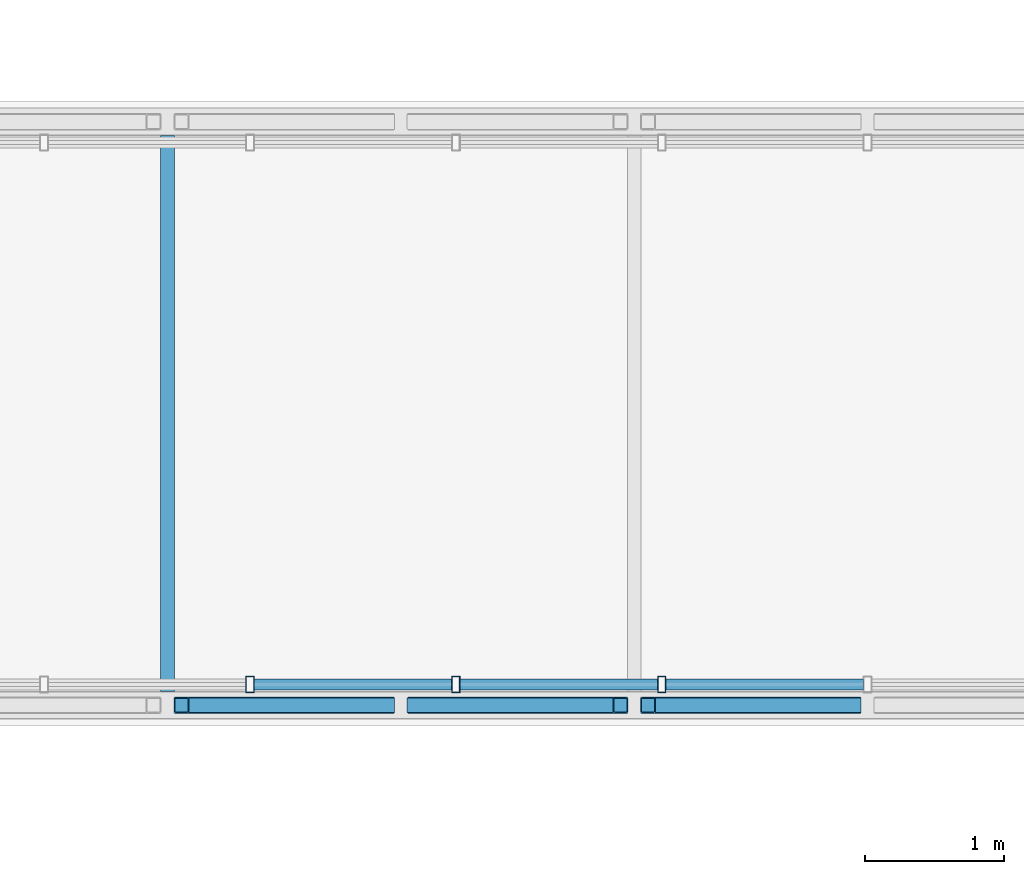
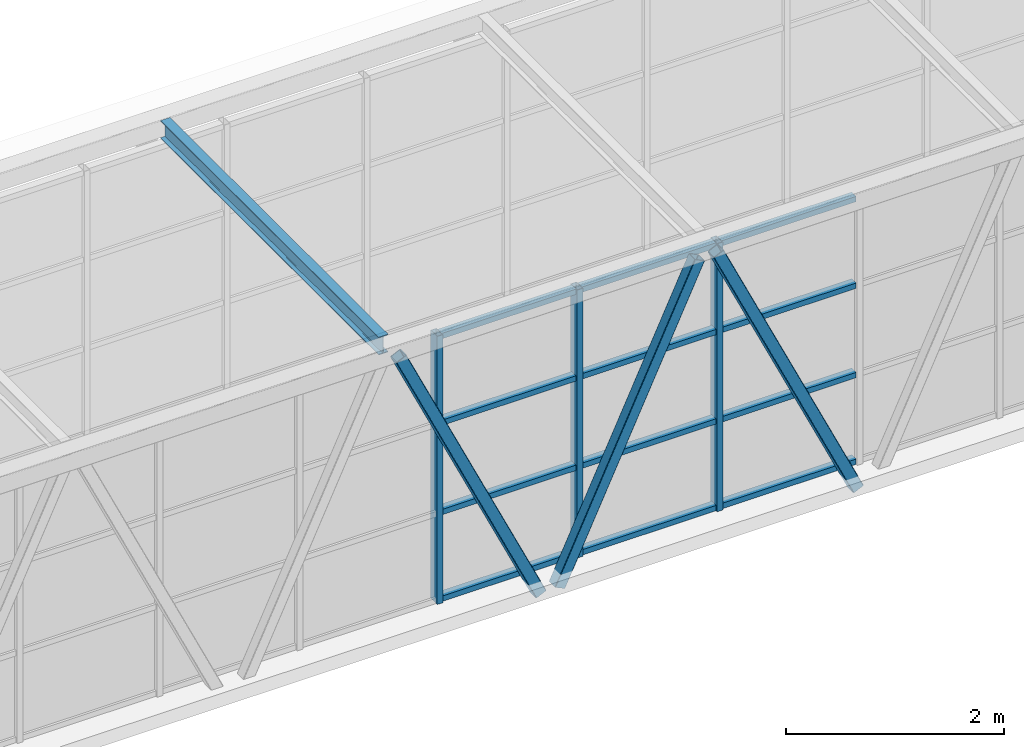
# One storey, part 32 of 149: 18 members, 1 beam, 1 element without a shape of its own.
"""IFC4 building model written with IfcOpenShell, lengths in metres."""

from ifc_helpers import new_model, si_unit, direction, frame, origin, origin_2d, place, context, subcontext, project, spatial, hollow_rectangle, i_section, extrude, material, material_profile, profile_set, type_object, element, aggregate, save


model = new_model("IFC4")

# Units and contexts
model_context = context("Model", 3, precision=1e-05, world=origin(), true_north=direction((0.0, 1.0)))
body_context = subcontext(model_context, "Body", "Model", "MODEL_VIEW")
ifc_project = project(units=[si_unit("LENGTHUNIT", "METRE"), si_unit("AREAUNIT", "SQUARE_METRE"), si_unit("VOLUMEUNIT", "CUBIC_METRE"), si_unit("PLANEANGLEUNIT", "RADIAN"), si_unit("MASSUNIT", "GRAM", prefix="KILO")], contexts=[model_context])

# Site, building, storey
site_placement = place(None, origin())
site = spatial("IfcSite", under=ifc_project, at=site_placement, CompositionType="ELEMENT")
building_placement = place(site_placement, origin())
building = spatial("IfcBuilding", under=site, at=building_placement, Name="Kallimachos Central Library", CompositionType="ELEMENT")
storey_placement = place(building_placement, frame((0.0, 0.0, 9.89990234375)))
storey = spatial("IfcBuildingStorey", under=building, at=storey_placement, Name="L02", CompositionType="ELEMENT", Elevation=9.89990234375)

# Curtain wall, members
ifc_material_1 = material(Name="Aluminium and laminated glass", Category="aluminium")
curtain_wall_type = type_object("IfcCurtainWallType", Name="Link glazed wall", PredefinedType="NOTDEFINED", material=ifc_material_1)
curtain_wall_placement = place(storey_placement, origin())
curtain_wall = element("IfcCurtainWall", 1, at=curtain_wall_placement, inside=storey, type_object=curtain_wall_type, Name="V2 to V1 bridge glazed side", PredefinedType="NOTDEFINED")
ifc_material_2 = material(Name="Anodised aluminium", Category="aluminium")
ifc_material_profile_1 = material_profile(ifc_material_2, hollow_rectangle(XDim=0.06005859375, YDim=0.1201171875, WallThickness=0.00390625, at=origin_2d()), Name="ALU MULLION 60x120")
ifc_profile_set_1 = profile_set([ifc_material_profile_1], Name="Anodised aluminium")
member_type_1 = type_object("IfcMemberType", Name="ALU MULLION 60x120 mullion", PredefinedType="MULLION", material=ifc_profile_set_1)
member_1_placement = place(storey_placement, frame((47.291748046875, 98.550048828125, 0.0), z_axis=(0.0, 0.0, 1.0), x_axis=(1.0, 0.0, 0.0)))
member_1 = element("IfcMember", 2, at=member_1_placement, type_object=member_type_1, Name="CW72 mullion 7", PredefinedType="MULLION", context=body_context, shape_type="SweptSolid", body=[
    extrude(hollow_rectangle(XDim=0.06005859375, YDim=0.1201171875, WallThickness=0.00390625, at=origin_2d()), origin(), (0.0, 0.0, 1.0), 3.0),
])
member_2_placement = place(storey_placement, frame((48.773681640625, 98.550048828125, 0.0), z_axis=(0.0, 0.0, 1.0), x_axis=(1.0, 0.0, 0.0)))
member_2 = element("IfcMember", 3, at=member_2_placement, type_object=member_type_1, Name="CW72 mullion 8", PredefinedType="MULLION", context=body_context, shape_type="SweptSolid", body=[
    extrude(hollow_rectangle(XDim=0.06005859375, YDim=0.1201171875, WallThickness=0.00390625, at=origin_2d()), origin(), (0.0, 0.0, 1.0), 3.0),
])
member_3_placement = place(storey_placement, frame((50.255615234375, 98.550048828125, 0.0), z_axis=(0.0, 0.0, 1.0), x_axis=(1.0, 0.0, 0.0)))
member_3 = element("IfcMember", 4, at=member_3_placement, type_object=member_type_1, Name="CW72 mullion 9", PredefinedType="MULLION", context=body_context, shape_type="SweptSolid", body=[
    extrude(hollow_rectangle(XDim=0.06005859375, YDim=0.1201171875, WallThickness=0.00390625, at=origin_2d()), origin(), (0.0, 0.0, 1.0), 3.0),
])
ifc_material_3 = material(Name="Anodised aluminium", Category="aluminium")
ifc_material_profile_2 = material_profile(ifc_material_3, hollow_rectangle(XDim=0.06005859375, YDim=0.080078125, WallThickness=0.00390625, at=origin_2d()), Name="ALU TRANSOM 60x80")
ifc_profile_set_2 = profile_set([ifc_material_profile_2], Name="Anodised aluminium")
member_type_2 = type_object("IfcMemberType", Name="ALU TRANSOM 60x80 transom", PredefinedType="USERDEFINED", material=ifc_profile_set_2)
member_4_placement = place(storey_placement, frame((47.32177734375, 98.550048828125, 0.030029296875), z_axis=(1.0, 0.0, 0.0), x_axis=(0.0, 0.0, 1.0)))
member_4 = element("IfcMember", 5, at=member_4_placement, type_object=member_type_2, Name="CW72 transom 7.1", ObjectType="TRANSOM", PredefinedType="USERDEFINED", context=body_context, shape_type="SweptSolid", body=[
    extrude(hollow_rectangle(XDim=0.06005859375, YDim=0.080078125, WallThickness=0.00390625, at=origin_2d()), origin(), (0.0, 0.0, 1.0), 1.421875),
])
member_5_placement = place(storey_placement, frame((47.32177734375, 98.550048828125, 1.0), z_axis=(1.0, 0.0, 0.0), x_axis=(0.0, 0.0, 1.0)))
member_5 = element("IfcMember", 6, at=member_5_placement, type_object=member_type_2, Name="CW72 transom 7.2", ObjectType="TRANSOM", PredefinedType="USERDEFINED", context=body_context, shape_type="SweptSolid", body=[
    extrude(hollow_rectangle(XDim=0.06005859375, YDim=0.080078125, WallThickness=0.00390625, at=origin_2d()), origin(), (0.0, 0.0, 1.0), 1.421875),
])
member_6_placement = place(storey_placement, frame((47.32177734375, 98.550048828125, 2.0), z_axis=(1.0, 0.0, 0.0), x_axis=(0.0, 0.0, 1.0)))
member_6 = element("IfcMember", 7, at=member_6_placement, type_object=member_type_2, Name="CW72 transom 7.3", ObjectType="TRANSOM", PredefinedType="USERDEFINED", context=body_context, shape_type="SweptSolid", body=[
    extrude(hollow_rectangle(XDim=0.06005859375, YDim=0.080078125, WallThickness=0.00390625, at=origin_2d()), origin(), (0.0, 0.0, 1.0), 1.421875),
])
member_7_placement = place(storey_placement, frame((47.32177734375, 98.550048828125, 2.97021484375), z_axis=(1.0, 0.0, 0.0), x_axis=(0.0, 0.0, 1.0)))
member_7 = element("IfcMember", 8, at=member_7_placement, type_object=member_type_2, Name="CW72 transom 7.4", ObjectType="TRANSOM", PredefinedType="USERDEFINED", context=body_context, shape_type="SweptSolid", body=[
    extrude(hollow_rectangle(XDim=0.06005859375, YDim=0.080078125, WallThickness=0.00390625, at=origin_2d()), origin(), (0.0, 0.0, 1.0), 1.421875),
])
member_8_placement = place(storey_placement, frame((48.8037109375, 98.550048828125, 0.030029296875), z_axis=(1.0, 0.0, 0.0), x_axis=(0.0, 0.0, 1.0)))
member_8 = element("IfcMember", 9, at=member_8_placement, type_object=member_type_2, Name="CW72 transom 8.1", ObjectType="TRANSOM", PredefinedType="USERDEFINED", context=body_context, shape_type="SweptSolid", body=[
    extrude(hollow_rectangle(XDim=0.06005859375, YDim=0.080078125, WallThickness=0.00390625, at=origin_2d()), origin(), (0.0, 0.0, 1.0), 1.421875),
])
member_9_placement = place(storey_placement, frame((48.8037109375, 98.550048828125, 1.0), z_axis=(1.0, 0.0, 0.0), x_axis=(0.0, 0.0, 1.0)))
member_9 = element("IfcMember", 10, at=member_9_placement, type_object=member_type_2, Name="CW72 transom 8.2", ObjectType="TRANSOM", PredefinedType="USERDEFINED", context=body_context, shape_type="SweptSolid", body=[
    extrude(hollow_rectangle(XDim=0.06005859375, YDim=0.080078125, WallThickness=0.00390625, at=origin_2d()), origin(), (0.0, 0.0, 1.0), 1.421875),
])
member_10_placement = place(storey_placement, frame((48.8037109375, 98.550048828125, 2.0), z_axis=(1.0, 0.0, 0.0), x_axis=(0.0, 0.0, 1.0)))
member_10 = element("IfcMember", 11, at=member_10_placement, type_object=member_type_2, Name="CW72 transom 8.3", ObjectType="TRANSOM", PredefinedType="USERDEFINED", context=body_context, shape_type="SweptSolid", body=[
    extrude(hollow_rectangle(XDim=0.06005859375, YDim=0.080078125, WallThickness=0.00390625, at=origin_2d()), origin(), (0.0, 0.0, 1.0), 1.421875),
])
member_11_placement = place(storey_placement, frame((48.8037109375, 98.550048828125, 2.97021484375), z_axis=(1.0, 0.0, 0.0), x_axis=(0.0, 0.0, 1.0)))
member_11 = element("IfcMember", 12, at=member_11_placement, type_object=member_type_2, Name="CW72 transom 8.4", ObjectType="TRANSOM", PredefinedType="USERDEFINED", context=body_context, shape_type="SweptSolid", body=[
    extrude(hollow_rectangle(XDim=0.06005859375, YDim=0.080078125, WallThickness=0.00390625, at=origin_2d()), origin(), (0.0, 0.0, 1.0), 1.421875),
])
member_12_placement = place(storey_placement, frame((50.28564453125, 98.550048828125, 0.030029296875), z_axis=(1.0, 0.0, 0.0), x_axis=(0.0, 0.0, 1.0)))
member_12 = element("IfcMember", 13, at=member_12_placement, type_object=member_type_2, Name="CW72 transom 9.1", ObjectType="TRANSOM", PredefinedType="USERDEFINED", context=body_context, shape_type="SweptSolid", body=[
    extrude(hollow_rectangle(XDim=0.06005859375, YDim=0.080078125, WallThickness=0.00390625, at=origin_2d()), origin(), (0.0, 0.0, 1.0), 1.421875),
])
member_13_placement = place(storey_placement, frame((50.28564453125, 98.550048828125, 1.0), z_axis=(1.0, 0.0, 0.0), x_axis=(0.0, 0.0, 1.0)))
member_13 = element("IfcMember", 14, at=member_13_placement, type_object=member_type_2, Name="CW72 transom 9.2", ObjectType="TRANSOM", PredefinedType="USERDEFINED", context=body_context, shape_type="SweptSolid", body=[
    extrude(hollow_rectangle(XDim=0.06005859375, YDim=0.080078125, WallThickness=0.00390625, at=origin_2d()), origin(), (0.0, 0.0, 1.0), 1.421875),
])
member_14_placement = place(storey_placement, frame((50.28564453125, 98.550048828125, 2.0), z_axis=(1.0, 0.0, 0.0), x_axis=(0.0, 0.0, 1.0)))
member_14 = element("IfcMember", 15, at=member_14_placement, type_object=member_type_2, Name="CW72 transom 9.3", ObjectType="TRANSOM", PredefinedType="USERDEFINED", context=body_context, shape_type="SweptSolid", body=[
    extrude(hollow_rectangle(XDim=0.06005859375, YDim=0.080078125, WallThickness=0.00390625, at=origin_2d()), origin(), (0.0, 0.0, 1.0), 1.421875),
])
member_15_placement = place(storey_placement, frame((50.28564453125, 98.550048828125, 2.97021484375), z_axis=(1.0, 0.0, 0.0), x_axis=(0.0, 0.0, 1.0)))
member_15 = element("IfcMember", 16, at=member_15_placement, type_object=member_type_2, Name="CW72 transom 9.4", ObjectType="TRANSOM", PredefinedType="USERDEFINED", context=body_context, shape_type="SweptSolid", body=[
    extrude(hollow_rectangle(XDim=0.06005859375, YDim=0.080078125, WallThickness=0.00390625, at=origin_2d()), origin(), (0.0, 0.0, 1.0), 1.421875),
])
aggregate(curtain_wall, [member_1, member_2, member_3, member_4, member_5, member_6, member_7, member_8, member_9, member_10, member_11, member_12, member_13, member_14, member_15])

# Beam
ifc_material_4 = material(Name="Steel S355J2", Category="steel")
ifc_material_profile_3 = material_profile(ifc_material_4, i_section(OverallWidth=0.10009765625, OverallDepth=0.199951171875, WebThickness=0.005615234375, FlangeThickness=0.008544921875, FilletRadius=0.011962890625, at=origin_2d()), Name="IPE 200")
ifc_profile_set_3 = profile_set([ifc_material_profile_3], Name="Steel S355J2")
beam_type = type_object("IfcBeamType", Name="IPE 200 beam", PredefinedType="BEAM", material=ifc_profile_set_3)
beam_placement = place(storey_placement, frame((46.698486328125, 98.5, 3.10009765625), z_axis=(0.0, 1.0, 0.0), x_axis=(-1.0, 0.0, 0.0)))
element("IfcBeam", 17, at=beam_placement, inside=storey, type_object=beam_type, Name="B-W roof cross beam", PredefinedType="BEAM", context=body_context, shape_type="SweptSolid", body=[
    extrude(i_section(OverallWidth=0.10009765625, OverallDepth=0.199951171875, WebThickness=0.005615234375, FlangeThickness=0.008544921875, FilletRadius=0.011962890625, at=origin_2d()), origin(), (0.0, 0.0, 1.0), 4.0),
])

# Members
ifc_material_5 = material(Name="Steel S355J2H", Category="steel")
ifc_material_profile_4 = material_profile(ifc_material_5, hollow_rectangle(XDim=0.1201171875, YDim=0.1201171875, WallThickness=0.008056640625, InnerFilletRadius=0.008056640625, OuterFilletRadius=0.011962890625, at=origin_2d()), Name="SHS 120x120x8")
ifc_profile_set_4 = profile_set([ifc_material_profile_4], Name="Steel S355J2H")
member_type_3 = type_object("IfcMemberType", Name="SHS 120x120x8 web", PredefinedType="BRACE", material=ifc_profile_set_4)
for number, where, z_axis, x_axis, name in (
    (18, (46.79833984375, 98.39990234375, 3.0), (0.425192201844, 0.0, -0.905103083351), (0.0, 1.0, 0.0), "links-MEM-L02-007"),
    (19, (48.47802734375, 98.39990234375, -0.14990234375), (0.425192201844, 0.0, 0.905103083351), (0.0, 1.0, 0.0), "links-MEM-L02-008"),
    (20, (50.15771484375, 98.39990234375, 3.0), (0.425192201844, 0.0, -0.905103083351), (0.0, 1.0, 0.0), "links-MEM-L02-009"),
):
    element("IfcMember", number, at=place(storey_placement, frame(where, z_axis=z_axis, x_axis=x_axis)), inside=storey, type_object=member_type_3, Name=name, PredefinedType="BRACE", context=body_context, shape_type="SweptSolid", body=[
        extrude(hollow_rectangle(XDim=0.1201171875, YDim=0.1201171875, WallThickness=0.008056640625, InnerFilletRadius=0.008056640625, OuterFilletRadius=0.011962890625, at=origin_2d()), origin(), (0.0, 0.0, 1.0), 3.480224609375),
    ])

save(model, "model.ifc")
